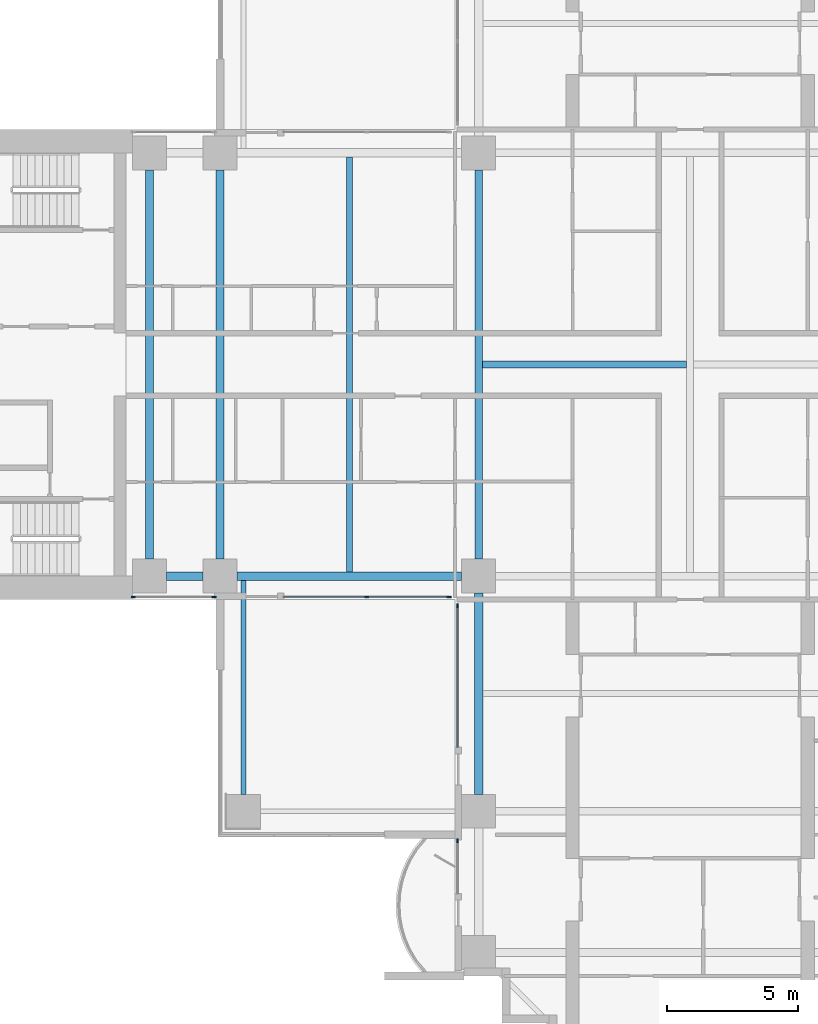
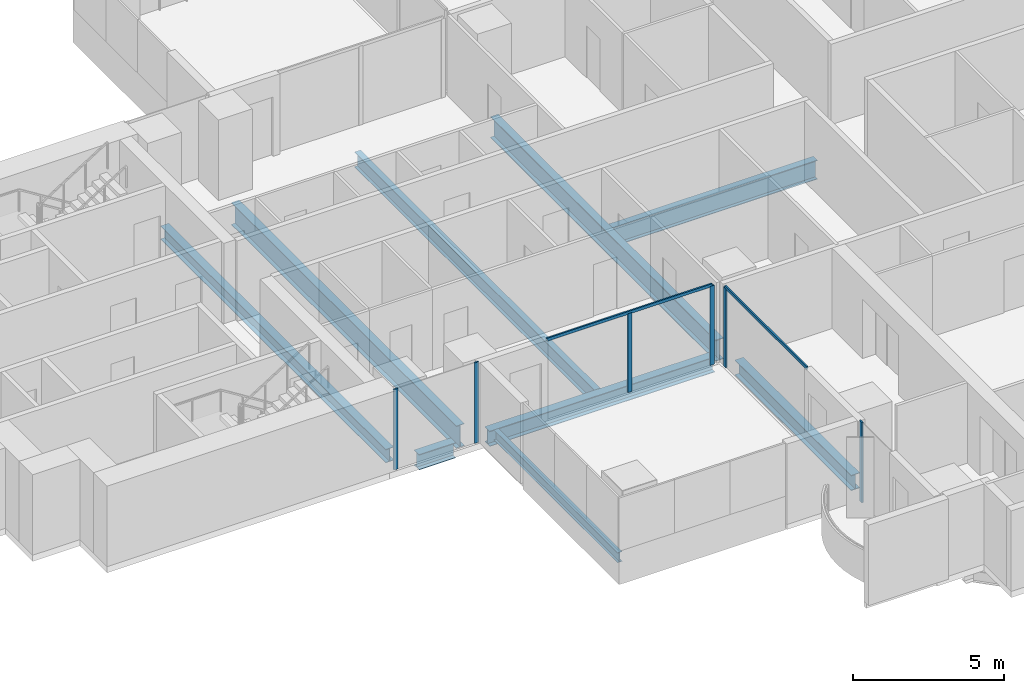
# One storey, part 2 of 21: 9 beams, 8 members, 4 elements without a shape of their own.
"""IFC4 building model written with IfcOpenShell, lengths in metres."""

from ifc_helpers import new_model, si_unit, direction, frame, origin, origin_2d, place, context, subcontext, project, spatial, rectangle, i_section, extrude, material, material_profile, profile_set, type_object, element, aggregate, save


model = new_model("IFC4")

# Units and contexts
model_context = context("Model", 3, precision=1e-05, world=origin(), true_north=direction((0.0, 1.0)))
body_context = subcontext(model_context, "Body", "Model", "MODEL_VIEW")
ifc_project = project(units=[si_unit("LENGTHUNIT", "METRE"), si_unit("AREAUNIT", "SQUARE_METRE"), si_unit("VOLUMEUNIT", "CUBIC_METRE"), si_unit("PLANEANGLEUNIT", "RADIAN"), si_unit("MASSUNIT", "GRAM", prefix="KILO")], contexts=[model_context])

# Site, building, storey
site_placement = place(None, origin())
site = spatial("IfcSite", under=ifc_project, at=site_placement, CompositionType="ELEMENT")
building_placement = place(site_placement, origin())
building = spatial("IfcBuilding", under=site, at=building_placement, Name="Perihelion Cross Residences", CompositionType="ELEMENT")
storey_placement = place(building_placement, frame((0.0, 0.0, 54.0)))
storey = spatial("IfcBuildingStorey", under=building, at=storey_placement, Name="L10", CompositionType="ELEMENT", Elevation=54.0)

# Curtain wall, members
ifc_material_1 = material(Name="Bronze anodised aluminium, tinted glazing", Category="aluminium")
curtain_wall_type = type_object("IfcCurtainWallType", Name="CW1", PredefinedType="NOTDEFINED", material=ifc_material_1)
curtain_wall_1_placement = place(storey_placement, origin())
curtain_wall_1 = element("IfcCurtainWall", 1, at=curtain_wall_1_placement, inside=storey, type_object=curtain_wall_type, Name="Curtain wall CW1 L10 west side south bay 1", PredefinedType="NOTDEFINED")
ifc_material_2 = material(Name="Bronze anodised aluminium", Category="aluminium")
ifc_material_profile_1 = material_profile(ifc_material_2, rectangle(XDim=0.06005859375, YDim=0.159912109375, at=origin_2d()), Name="CW1 mullion")
ifc_profile_set_1 = profile_set([ifc_material_profile_1], Name="Bronze anodised aluminium")
member_type_1 = type_object("IfcMemberType", Name="CW1 mullion", PredefinedType="MULLION", material=ifc_profile_set_1)
member_1_placement = place(storey_placement, frame((-21.320068359375, -8.89990234375, 0.0), z_axis=(0.0, 0.0, 1.0), x_axis=(0.0, 1.0, 0.0)))
member_1 = element("IfcMember", 2, at=member_1_placement, type_object=member_type_1, Name="CW1 mullion 1", PredefinedType="MULLION", context=body_context, shape_type="SweptSolid", body=[
    extrude(rectangle(XDim=0.06005859375, YDim=0.159912109375, at=origin_2d()), origin(), (0.0, 0.0, 1.0), 3.25),
])
member_2_placement = place(storey_placement, frame((-18.22998046875, -8.89990234375, 0.0), z_axis=(0.0, 0.0, 1.0), x_axis=(0.0, 1.0, 0.0)))
member_2 = element("IfcMember", 3, at=member_2_placement, type_object=member_type_1, Name="CW1 mullion 2", PredefinedType="MULLION", context=body_context, shape_type="SweptSolid", body=[
    extrude(rectangle(XDim=0.06005859375, YDim=0.159912109375, at=origin_2d()), origin(), (0.0, 0.0, 1.0), 3.25),
])
aggregate(curtain_wall_1, [member_1, member_2])

curtain_wall_2_placement = place(storey_placement, origin())
curtain_wall_2 = element("IfcCurtainWall", 4, at=curtain_wall_2_placement, inside=storey, type_object=curtain_wall_type, Name="Curtain wall CW1 L10 west side south bay 2", PredefinedType="NOTDEFINED")
member_3_placement = place(storey_placement, frame((-12.375, -8.89990234375, 0.0), z_axis=(0.0, 0.0, 1.0), x_axis=(0.0, 1.0, 0.0)))
member_3 = element("IfcMember", 5, at=member_3_placement, type_object=member_type_1, Name="CW1 mullion 2", PredefinedType="MULLION", context=body_context, shape_type="SweptSolid", body=[
    extrude(rectangle(XDim=0.06005859375, YDim=0.159912109375, at=origin_2d()), origin(), (0.0, 0.0, 1.0), 3.18994140625),
])
member_4_placement = place(storey_placement, frame((-9.22998046875, -8.89990234375, 0.0), z_axis=(0.0, 0.0, 1.0), x_axis=(0.0, 1.0, 0.0)))
member_4 = element("IfcMember", 6, at=member_4_placement, type_object=member_type_1, Name="CW1 mullion 3", PredefinedType="MULLION", context=body_context, shape_type="SweptSolid", body=[
    extrude(rectangle(XDim=0.06005859375, YDim=0.159912109375, at=origin_2d()), origin(), (0.0, 0.0, 1.0), 3.18994140625),
])

# Curtain wall, member
curtain_wall_3_placement = place(storey_placement, origin())
curtain_wall_3 = element("IfcCurtainWall", 7, at=curtain_wall_3_placement, inside=storey, type_object=curtain_wall_type, Name="Curtain wall CW1 L10 south side west bay 1", PredefinedType="NOTDEFINED")
member_5_placement = place(storey_placement, frame((-8.89990234375, -9.22998046875, 0.0), z_axis=(0.0, 0.0, 1.0), x_axis=(1.0, 0.0, 0.0)))
member_5 = element("IfcMember", 8, at=member_5_placement, type_object=member_type_1, Name="CW1 mullion 1", PredefinedType="MULLION", context=body_context, shape_type="SweptSolid", body=[
    extrude(rectangle(XDim=0.06005859375, YDim=0.159912109375, at=origin_2d()), origin(), (0.0, 0.0, 1.0), 3.18994140625),
])

curtain_wall_4_placement = place(storey_placement, origin())
curtain_wall_4 = element("IfcCurtainWall", 9, at=curtain_wall_4_placement, inside=storey, type_object=curtain_wall_type, Name="Curtain wall CW1 L10 south side west bay 2", PredefinedType="NOTDEFINED")
member_6_placement = place(storey_placement, frame((-8.89990234375, -18.22998046875, 0.0), z_axis=(0.0, 0.0, 1.0), x_axis=(1.0, 0.0, 0.0)))
member_6 = element("IfcMember", 10, at=member_6_placement, type_object=member_type_1, Name="CW1 mullion 1", PredefinedType="MULLION", context=body_context, shape_type="SweptSolid", body=[
    extrude(rectangle(XDim=0.06005859375, YDim=0.159912109375, at=origin_2d()), origin(), (0.0, 0.0, 1.0), 3.25),
])
aggregate(curtain_wall_4, [member_6])

# Member
ifc_material_3 = material(Name="Bronze anodised aluminium", Category="aluminium")
ifc_material_profile_2 = material_profile(ifc_material_3, rectangle(XDim=0.06005859375, YDim=0.1201171875, at=origin_2d()), Name="CW1 transom")
ifc_profile_set_2 = profile_set([ifc_material_profile_2], Name="Bronze anodised aluminium")
member_type_2 = type_object("IfcMemberType", Name="CW1 transom", PredefinedType="USERDEFINED", material=ifc_profile_set_2)
member_7_placement = place(storey_placement, frame((-15.550048828125, -8.89990234375, 3.219970703125), z_axis=(1.0, 0.0, 0.0), x_axis=(0.0, 1.0, 0.0)))
member_7 = element("IfcMember", 11, at=member_7_placement, type_object=member_type_2, Name="CW1 head transom", ObjectType="TRANSOM", PredefinedType="USERDEFINED", context=body_context, shape_type="SweptSolid", body=[
    extrude(rectangle(XDim=0.06005859375, YDim=0.1201171875, at=origin_2d()), origin(), (0.0, 0.0, 1.0), 6.320068359375),
])

aggregate(curtain_wall_2, [member_3, member_4, member_7])

member_8_placement = place(storey_placement, frame((-8.89990234375, -9.22998046875, 3.219970703125), z_axis=(0.0, -1.0, 0.0), x_axis=(1.0, 0.0, 0.0)))
member_8 = element("IfcMember", 12, at=member_8_placement, type_object=member_type_2, Name="CW1 head transom", ObjectType="TRANSOM", PredefinedType="USERDEFINED", context=body_context, shape_type="SweptSolid", body=[
    extrude(rectangle(XDim=0.06005859375, YDim=0.1201171875, at=origin_2d()), origin(), (0.0, 0.0, 1.0), 5.419921875),
])

aggregate(curtain_wall_3, [member_5, member_8])

# Beams
ifc_material_4 = material(Name="Steel S355", Category="steel")
ifc_material_profile_3 = material_profile(ifc_material_4, i_section(OverallWidth=0.177978515625, OverallDepth=0.406005859375, WebThickness=0.0078125, FlangeThickness=0.0126953125, at=origin_2d()), Name="W410x60")
ifc_profile_set_3 = profile_set([ifc_material_profile_3], Name="Steel S355")
beam_type_1 = type_object("IfcBeamType", Name="Core edge beam W410x60", PredefinedType="BEAM", material=ifc_profile_set_3)
beam_1_placement = place(storey_placement, frame((-17.10009765625, -8.262451171875, -0.452880859375), z_axis=(0.0, -1.0, 0.0), x_axis=(1.0, 0.0, 0.0)))
element("IfcBeam", 13, at=beam_1_placement, inside=storey, type_object=beam_type_1, Name="Core edge beam TB2 L10 corner no. 1", PredefinedType="BEAM", context=body_context, shape_type="SweptSolid", body=[
    extrude(i_section(OverallWidth=0.177978515625, OverallDepth=0.406005859375, WebThickness=0.0078125, FlangeThickness=0.0126953125, at=origin_2d()), origin(), (0.0, 0.0, 1.0), 8.1875),
])
ifc_material_5 = material(Name="Steel S355", Category="steel")
ifc_material_profile_4 = material_profile(ifc_material_5, i_section(OverallWidth=0.31201171875, OverallDepth=0.5439453125, WebThickness=0.0126953125, FlangeThickness=0.020263671875, at=origin_2d()), Name="W530x150")
ifc_profile_set_4 = profile_set([ifc_material_profile_4], Name="Steel S355")
beam_type_2 = type_object("IfcBeamType", Name="Core edge beam W530x150", PredefinedType="BEAM", material=ifc_profile_set_4)
beam_2_placement = place(storey_placement, frame((-20.699951171875, -7.449951171875, -0.52197265625), z_axis=(0.0, 1.0, 0.0), x_axis=(-1.0, 0.0, 0.0)))
element("IfcBeam", 14, at=beam_2_placement, inside=storey, type_object=beam_type_2, Name="Core edge beam TB4 L10 no. 1", PredefinedType="BEAM", context=body_context, shape_type="SweptSolid", body=[
    extrude(i_section(OverallWidth=0.31201171875, OverallDepth=0.5439453125, WebThickness=0.0126953125, FlangeThickness=0.020263671875, at=origin_2d()), origin(), (0.0, 0.0, 1.0), 14.89990234375),
])
ifc_material_6 = material(Name="Steel S355", Category="steel")
ifc_material_profile_5 = material_profile(ifc_material_6, i_section(OverallWidth=0.324951171875, OverallDepth=0.616943359375, WebThickness=0.013916015625, FlangeThickness=0.021484375, at=origin_2d()), Name="W610x174")
ifc_profile_set_5 = profile_set([ifc_material_profile_5], Name="Steel S355")
beam_type_3 = type_object("IfcBeamType", Name="Edge beam W610x174", PredefinedType="SPANDREL", material=ifc_profile_set_5)
beam_3_placement = place(storey_placement, frame((-20.050048828125, -8.10009765625, -0.55859375), z_axis=(1.0, 0.0, 0.0), x_axis=(0.0, 1.0, 0.0)))
element("IfcBeam", 15, at=beam_3_placement, inside=storey, type_object=beam_type_3, Name="Edge beam SB2 L10 no. 3", PredefinedType="SPANDREL", context=body_context, shape_type="SweptSolid", body=[
    extrude(i_section(OverallWidth=0.324951171875, OverallDepth=0.616943359375, WebThickness=0.013916015625, FlangeThickness=0.021484375, at=origin_2d()), origin(), (0.0, 0.0, 1.0), 1.400146484375),
])
beam_4_placement = place(storey_placement, frame((-17.35009765625, -8.10009765625, -0.55859375), z_axis=(1.0, 0.0, 0.0), x_axis=(0.0, 1.0, 0.0)))
element("IfcBeam", 16, at=beam_4_placement, inside=storey, type_object=beam_type_3, Name="Edge beam SB2 L10 no. 1", PredefinedType="SPANDREL", context=body_context, shape_type="SweptSolid", body=[
    extrude(i_section(OverallWidth=0.324951171875, OverallDepth=0.616943359375, WebThickness=0.013916015625, FlangeThickness=0.021484375, at=origin_2d()), origin(), (0.0, 0.0, 1.0), 8.60009765625),
])
beam_5_placement = place(storey_placement, frame((-8.10009765625, -8.75, -0.55859375), z_axis=(0.0, -1.0, 0.0), x_axis=(1.0, 0.0, 0.0)))
element("IfcBeam", 17, at=beam_5_placement, inside=storey, type_object=beam_type_3, Name="Edge beam SB2 L10 no. 6", PredefinedType="SPANDREL", context=body_context, shape_type="SweptSolid", body=[
    extrude(i_section(OverallWidth=0.324951171875, OverallDepth=0.616943359375, WebThickness=0.013916015625, FlangeThickness=0.021484375, at=origin_2d()), origin(), (0.0, 0.0, 1.0), 7.699951171875),
])
ifc_material_7 = material(Name="Steel S355", Category="steel")
ifc_material_profile_6 = material_profile(ifc_material_7, i_section(OverallWidth=0.304931640625, OverallDepth=0.904052734375, WebThickness=0.01513671875, FlangeThickness=0.02001953125, at=origin_2d()), Name="W920x201")
ifc_profile_set_6 = profile_set([ifc_material_profile_6], Name="Steel S355")
beam_type_4 = type_object("IfcBeamType", Name="Floor girder W920x201", PredefinedType="BEAM", material=ifc_profile_set_6)
beam_6_placement = place(storey_placement, frame((-18.0, -7.449951171875, -0.701904296875), z_axis=(0.0, 1.0, 0.0), x_axis=(-1.0, 0.0, 0.0)))
element("IfcBeam", 18, at=beam_6_placement, inside=storey, type_object=beam_type_4, Name="Girder G2 L10 no. 1", PredefinedType="BEAM", context=body_context, shape_type="SweptSolid", body=[
    extrude(i_section(OverallWidth=0.304931640625, OverallDepth=0.904052734375, WebThickness=0.01513671875, FlangeThickness=0.02001953125, at=origin_2d()), origin(), (0.0, 0.0, 1.0), 14.89990234375),
])
ifc_material_8 = material(Name="Steel S355", Category="steel")
ifc_material_profile_7 = material_profile(ifc_material_8, i_section(OverallWidth=0.22900390625, OverallDepth=0.612060546875, WebThickness=0.011962890625, FlangeThickness=0.01953125, at=origin_2d()), Name="W610x125")
ifc_profile_set_7 = profile_set([ifc_material_profile_7], Name="Steel S355")
beam_type_5 = type_object("IfcBeamType", Name="Floor joist W610x125", PredefinedType="JOIST", material=ifc_profile_set_7)
beam_7_placement = place(storey_placement, frame((-13.050048828125, -7.9375, -0.555908203125), z_axis=(0.0, 1.0, 0.0), x_axis=(-1.0, 0.0, 0.0)))
element("IfcBeam", 19, at=beam_7_placement, inside=storey, type_object=beam_type_5, Name="Joist J3 L10 no. 1", PredefinedType="JOIST", context=body_context, shape_type="SweptSolid", body=[
    extrude(i_section(OverallWidth=0.22900390625, OverallDepth=0.612060546875, WebThickness=0.011962890625, FlangeThickness=0.01953125, at=origin_2d()), origin(), (0.0, 0.0, 1.0), 15.875),
])
ifc_material_9 = material(Name="Steel S355", Category="steel")
ifc_material_profile_8 = material_profile(ifc_material_9, i_section(OverallWidth=0.26708984375, OverallDepth=0.77001953125, WebThickness=0.015625, FlangeThickness=0.025390625, at=origin_2d()), Name="W760x196")
ifc_profile_set_8 = profile_set([ifc_material_profile_8], Name="Steel S355")
beam_type_6 = type_object("IfcBeamType", Name="Hub cross beam W760x196", PredefinedType="BEAM", material=ifc_profile_set_8)
beam_8_placement = place(storey_placement, frame((-7.9541015625, 0.0, -0.635009765625), z_axis=(1.0, 0.0, 0.0), x_axis=(0.0, 1.0, 0.0)))
element("IfcBeam", 20, at=beam_8_placement, inside=storey, type_object=beam_type_6, Name="Hub cross beam XB2 L10 1 no. 1", PredefinedType="BEAM", context=body_context, shape_type="SweptSolid", body=[
    extrude(i_section(OverallWidth=0.26708984375, OverallDepth=0.77001953125, WebThickness=0.015625, FlangeThickness=0.025390625, at=origin_2d()), origin(), (0.0, 0.0, 1.0), 7.820556640625),
])
ifc_material_10 = material(Name="Steel S355", Category="steel")
ifc_material_profile_9 = material_profile(ifc_material_10, i_section(OverallWidth=0.2919921875, OverallDepth=0.85888671875, WebThickness=0.01708984375, FlangeThickness=0.031005859375, at=origin_2d()), Name="W840x251")
ifc_profile_set_9 = profile_set([ifc_material_profile_9], Name="Steel S355")
beam_type_7 = type_object("IfcBeamType", Name="Hub ring girder W840x251", PredefinedType="BEAM", material=ifc_profile_set_9)
beam_9_placement = place(storey_placement, frame((-8.10009765625, 7.449951171875, -0.679443359375), z_axis=(0.0, -1.0, 0.0), x_axis=(1.0, 0.0, 0.0)))
element("IfcBeam", 21, at=beam_9_placement, inside=storey, type_object=beam_type_7, Name="Hub ring girder RG2 L10 no. 2", PredefinedType="BEAM", context=body_context, shape_type="SweptSolid", body=[
    extrude(i_section(OverallWidth=0.2919921875, OverallDepth=0.85888671875, WebThickness=0.01708984375, FlangeThickness=0.031005859375, at=origin_2d()), origin(), (0.0, 0.0, 1.0), 14.89990234375),
])

save(model, "model.ifc")
